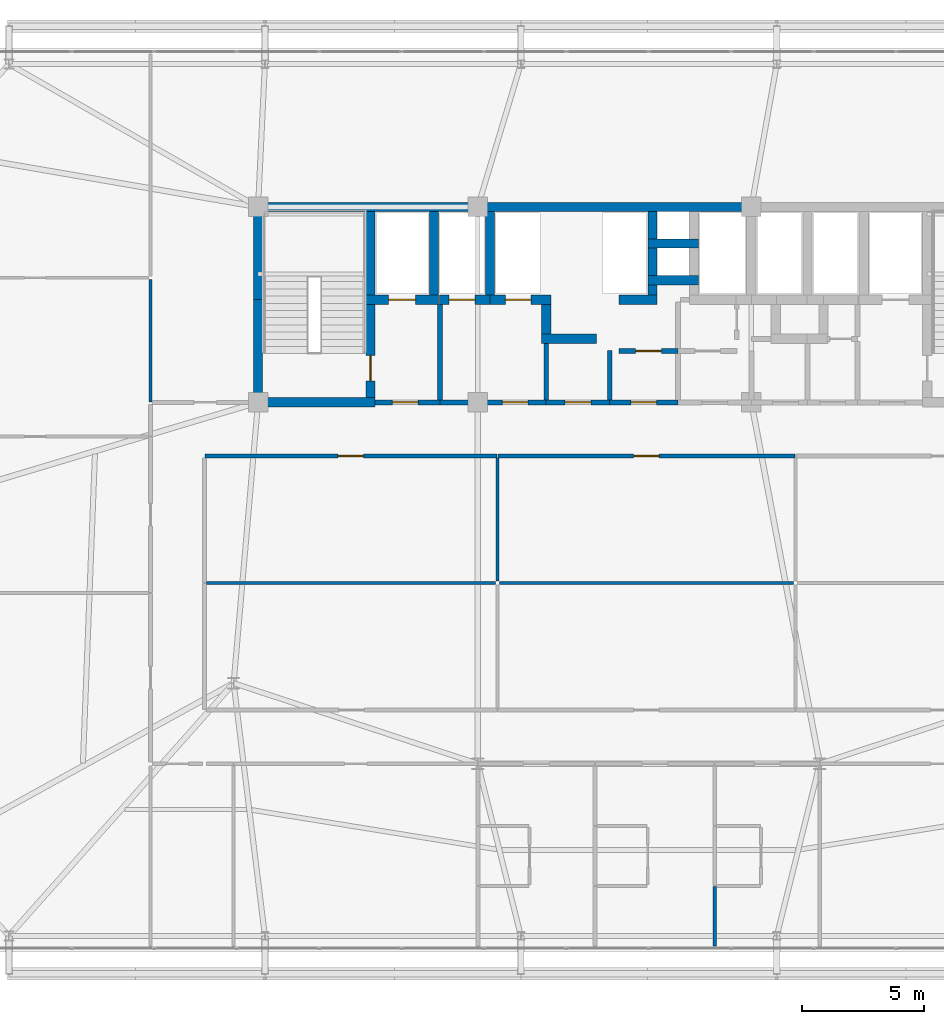
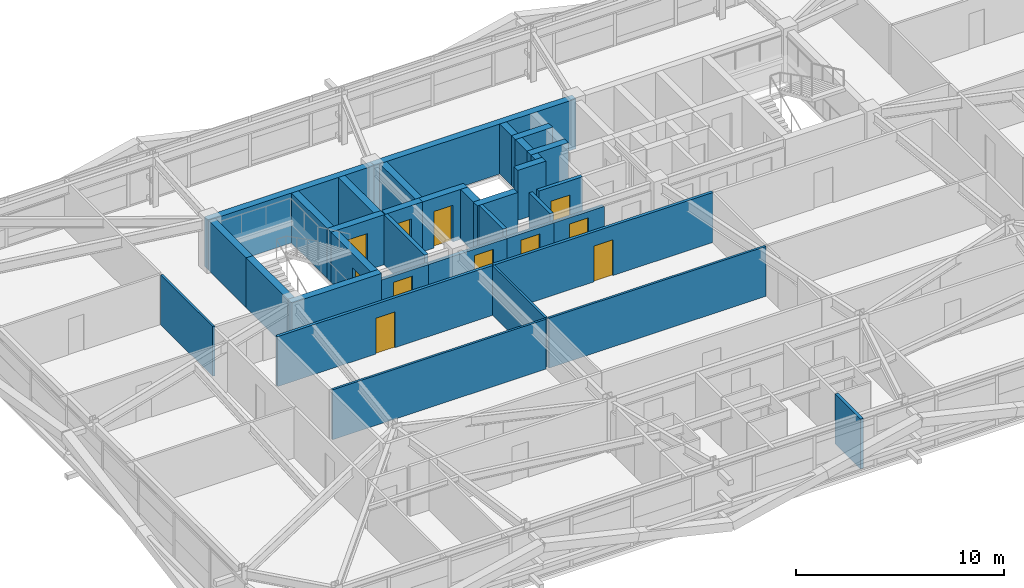
# One storey, part 53 of 59: 35 walls, 11 doors, 11 openings.
"""IFC4 building model written with IfcOpenShell, lengths in metres."""

from ifc_helpers import new_model, si_unit, direction, frame, frame_2d, origin, place, context, subcontext, project, spatial, rectangle, extrude, source, transform, mapped, material, layer, layer_set, type_object, element, fill, save


model = new_model("IFC4")

# Units and contexts
model_context = context("Model", 3, precision=1e-05, world=origin(), true_north=direction((0.0, 1.0)))
body_context = subcontext(model_context, "Body", "Model", "MODEL_VIEW")
ifc_project = project(units=[si_unit("LENGTHUNIT", "METRE"), si_unit("AREAUNIT", "SQUARE_METRE"), si_unit("VOLUMEUNIT", "CUBIC_METRE"), si_unit("PLANEANGLEUNIT", "RADIAN"), si_unit("MASSUNIT", "GRAM", prefix="KILO")], contexts=[model_context])

# Site, building, storey
site_placement = place(None, origin())
site = spatial("IfcSite", under=ifc_project, at=site_placement, CompositionType="ELEMENT")
building_placement = place(site_placement, origin())
building = spatial("IfcBuilding", under=site, at=building_placement, Name="Taldren Reach Tower", CompositionType="ELEMENT")
storey_placement = place(building_placement, frame((0.0, 0.0, 48.300048828125)))
storey = spatial("IfcBuildingStorey", under=building, at=storey_placement, Name="L14", CompositionType="ELEMENT", Elevation=48.300048828125)

# Walls
ifc_material_1 = material(Name="Concrete S80 (80 MPa)", Category="concrete")
ifc_layer_1 = layer(ifc_material_1, 0.3798828125)
ifc_layer_set_1 = layer_set([ifc_layer_1], Name="Concrete S80 (80 MPa)")
wall_type_1 = type_object("IfcWallType", Name="IW-CORE-380", PredefinedType="SHEAR", material=ifc_layer_set_1)
shared_shape_1 = source(origin(), body_context, "Body", "SweptSolid", [
    extrude(rectangle(XDim=9.18994140625, YDim=0.3798828125, at=frame_2d((4.594970703125, 0.0))), origin(), (0.0, 0.0, 1.0), 2.929931640625),
])
wall_1_placement = place(storey_placement, frame((18.81005859375, 32.0, 0.0), z_axis=(0.0, 0.0, 1.0), x_axis=(1.0, 0.0, 0.0)))
element("IfcWall", 1, at=wall_1_placement, inside=storey, type_object=wall_type_1, Name="Rear Core Shear Wall W-CORE-L14-NORTH1", PredefinedType="SHEAR", context=body_context, shape_type="MappedRepresentation", body=[
    mapped(shared_shape_1, transform((0.0, 0.0, 0.0), scale=1.0)),
])
shared_shape_2 = source(origin(), body_context, "Body", "SweptSolid", [
    extrude(rectangle(XDim=11.199951171875, YDim=0.3798828125, at=frame_2d((5.60009765625, 0.0))), origin(), (0.0, 0.0, 1.0), 2.929931640625),
])
wall_2_placement = place(storey_placement, frame((28.0, 32.0, 0.0), z_axis=(0.0, 0.0, 1.0), x_axis=(1.0, 0.0, 0.0)))
element("IfcWall", 2, at=wall_2_placement, inside=storey, type_object=wall_type_1, Name="Rear Core Shear Wall W-CORE-L14-NORTH2", PredefinedType="SHEAR", context=body_context, shape_type="MappedRepresentation", body=[
    mapped(shared_shape_2, transform((0.0, 0.0, 0.0), scale=1.0)),
])
shared_shape_3 = source(origin(), body_context, "Body", "SweptSolid", [
    extrude(rectangle(XDim=4.010009765625, YDim=0.3798828125, at=frame_2d((2.0048828125, 0.0))), origin(), (0.0, 0.0, 1.0), 2.929931640625),
])
wall_3_placement = place(storey_placement, frame((19.0, 24.18994140625, 0.0), z_axis=(0.0, 0.0, 1.0), x_axis=(0.0, 1.0, 0.0)))
element("IfcWall", 3, at=wall_3_placement, inside=storey, type_object=wall_type_1, Name="Rear Core Shear Wall W-CORE-L14-WEST1", PredefinedType="SHEAR", context=body_context, shape_type="MappedRepresentation", body=[
    mapped(shared_shape_3, transform((0.0, 0.0, 0.0), scale=1.0)),
])
shared_shape_4 = source(origin(), body_context, "Body", "SweptSolid", [
    extrude(rectangle(XDim=3.610107421875, YDim=0.3798828125, at=frame_2d((1.80517578125, 0.0))), origin(), (0.0, 0.0, 1.0), 2.929931640625),
])
wall_4_placement = place(storey_placement, frame((19.0, 28.199951171875, 0.0), z_axis=(0.0, 0.0, 1.0), x_axis=(0.0, 1.0, 0.0)))
element("IfcWall", 4, at=wall_4_placement, inside=storey, type_object=wall_type_1, Name="Rear Core Shear Wall W-CORE-L14-WEST2", PredefinedType="SHEAR", context=body_context, shape_type="MappedRepresentation", body=[
    mapped(shared_shape_4, transform((0.0, 0.0, 0.0), scale=1.0)),
])
shared_shape_5 = source(origin(), body_context, "Body", "SweptSolid", [
    extrude(rectangle(XDim=3.420166015625, YDim=0.3798828125, at=frame_2d((1.7099609375, 0.0))), origin(), (0.0, 0.0, 1.0), 2.929931640625),
])
for number, where, z_axis, x_axis, name in (
    (5, (23.60009765625, 28.389892578125, 0.0), (0.0, 0.0, 1.0), (0.0, 1.0, 0.0), "Rear Core Shear Wall W-INT-L14-001"),
    (6, (26.199951171875, 28.389892578125, 0.0), (0.0, 0.0, 1.0), (0.0, 1.0, 0.0), "Rear Core Shear Wall W-INT-L14-005"),
    (7, (28.5, 28.389892578125, 0.0), (0.0, 0.0, 1.0), (0.0, 1.0, 0.0), "Rear Core Shear Wall W-INT-L14-030"),
):
    element("IfcWall", number, at=place(storey_placement, frame(where, z_axis=z_axis, x_axis=x_axis)), inside=storey, type_object=wall_type_1, Name=name, PredefinedType="SHEAR", context=body_context, shape_type="MappedRepresentation", body=[
        mapped(shared_shape_5, transform((0.0, 0.0, 0.0), scale=1.0)),
    ])

# Wall, opening, door
shared_shape_6 = source(origin(), body_context, "Body", "SweptSolid", [
    extrude(rectangle(XDim=3.820068359375, YDim=0.3798828125, at=frame_2d((1.91015625, 0.0))), origin(), (0.0, 0.0, 1.0), 2.929931640625),
])
wall_5_placement = place(storey_placement, frame((23.60009765625, 24.18994140625, 0.0), z_axis=(0.0, 0.0, 1.0), x_axis=(0.0, 1.0, 0.0)))
wall_5 = element("IfcWall", 8, at=wall_5_placement, inside=storey, type_object=wall_type_1, Name="Rear Core Shear Wall W-INT-L14-002", PredefinedType="SHEAR", context=body_context, shape_type="MappedRepresentation", body=[
    mapped(shared_shape_6, transform((0.0, 0.0, 0.0), scale=1.0)),
])
shared_shape_7 = source(origin(), body_context, "Body", "SweptSolid", [
    extrude(rectangle(XDim=1.050048828125, YDim=2.10009765625, at=frame_2d((0.52490234375, 1.050048828125))), frame((0.0, 0.199951171875, 0.0), z_axis=(0.0, -1.0, 0.0), x_axis=(1.0, 0.0, 0.0)), (0.0, 0.0, 1.0), 0.39990234375),
])
opening_1_placement = place(wall_5_placement, frame((0.68505859375, 0.0, 0.0)))
opening_1 = element("IfcOpeningElement", 9, at=opening_1_placement, cuts=wall_5, Name="Opening DF-105", PredefinedType="OPENING", context=body_context, shape_type="MappedRepresentation", body=[
    mapped(shared_shape_7, transform((0.0, 0.0, 0.0), scale=1.0)),
])
ifc_material_2 = material(Name="Fire-Rated Care and Stair Exit Door")
door_type_1 = type_object("IfcDoorType", Name="ID-FIRE-105", OperationType="NOTDEFINED", PredefinedType="DOOR", material=ifc_material_2)
shared_shape_8 = source(origin(), body_context, "Body", "SweptSolid", [
    extrude(rectangle(XDim=1.050048828125, YDim=2.10009765625, at=frame_2d((0.52490234375, 1.050048828125))), frame((0.0, 0.02490234375, 0.0), z_axis=(0.0, -1.0, 0.0), x_axis=(1.0, 0.0, 0.0)), (0.0, 0.0, 1.0), 0.050048828125),
])
door_1_placement = place(opening_1_placement, origin())
door_1 = element("IfcDoor", 10, at=door_1_placement, inside=storey, type_object=door_type_1, Name="Fire Exit Stair Door DR-L14-001", OperationType="SINGLE_SWING_LEFT", OverallHeight=2.10009765625, OverallWidth=1.050048828125, PredefinedType="DOOR", context=body_context, shape_type="MappedRepresentation", body=[
    mapped(shared_shape_8, transform((0.0, 0.0, 0.0), scale=1.0)),
])
fill(opening_1, door_1)

# Wall
shared_shape_9 = source(origin(), body_context, "Body", "SweptSolid", [
    extrude(rectangle(XDim=4.97998046875, YDim=0.3798828125, at=frame_2d((2.489990234375, 0.0))), origin(), (0.0, 0.0, 1.0), 2.929931640625),
])
wall_6_placement = place(storey_placement, frame((18.81005859375, 24.0, 0.0), z_axis=(0.0, 0.0, 1.0), x_axis=(1.0, 0.0, 0.0)))
element("IfcWall", 11, at=wall_6_placement, inside=storey, type_object=wall_type_1, Name="Rear Core Shear Wall W-INT-L14-003", PredefinedType="SHEAR", context=body_context, shape_type="MappedRepresentation", body=[
    mapped(shared_shape_9, transform((0.0, 0.0, 0.0), scale=1.0)),
])

# Wall, opening, door
shared_shape_10 = source(origin(), body_context, "Body", "SweptSolid", [
    extrude(rectangle(XDim=2.97998046875, YDim=0.3798828125, at=frame_2d((1.489990234375, 0.0))), origin(), (0.0, 0.0, 1.0), 2.929931640625),
])
wall_7_placement = place(storey_placement, frame((23.409912109375, 28.199951171875, 0.0), z_axis=(0.0, 0.0, 1.0), x_axis=(1.0, 0.0, 0.0)))
wall_7 = element("IfcWall", 12, at=wall_7_placement, inside=storey, type_object=wall_type_1, Name="Rear Core Shear Wall W-INT-L14-004", PredefinedType="SHEAR", context=body_context, shape_type="MappedRepresentation", body=[
    mapped(shared_shape_10, transform((0.0, 0.0, 0.0), scale=1.0)),
])
shared_shape_11 = source(origin(), body_context, "Body", "SweptSolid", [
    extrude(rectangle(XDim=1.10009765625, YDim=2.14990234375, at=frame_2d((0.550048828125, 1.074951171875))), frame((0.0, 0.199951171875, 0.0), z_axis=(0.0, -1.0, 0.0), x_axis=(1.0, 0.0, 0.0)), (0.0, 0.0, 1.0), 0.39990234375),
])
opening_2_placement = place(wall_7_placement, frame((0.93994140625, 0.0, 0.0)))
opening_2 = element("IfcOpeningElement", 13, at=opening_2_placement, cuts=wall_7, Name="Opening LD-FL1", PredefinedType="OPENING", context=body_context, shape_type="MappedRepresentation", body=[
    mapped(shared_shape_11, transform((0.0, 0.0, 0.0), scale=1.0)),
])
ifc_material_3 = material(Name="Stainless Steel Gr 316 Emergency Lift Landing Door", Category="steel")
door_type_2 = type_object("IfcDoorType", Name="LD-EMG-110", OperationType="SLIDING_TO_LEFT", PredefinedType="DOOR", material=ifc_material_3)
shared_shape_12 = source(origin(), body_context, "Body", "SweptSolid", [
    extrude(rectangle(XDim=1.10009765625, YDim=2.14990234375, at=frame_2d((0.550048828125, 1.074951171875))), frame((0.0, 0.02490234375, 0.0), z_axis=(0.0, -1.0, 0.0), x_axis=(1.0, 0.0, 0.0)), (0.0, 0.0, 1.0), 0.050048828125),
])
door_2_placement = place(opening_2_placement, origin())
door_2 = element("IfcDoor", 14, at=door_2_placement, inside=storey, type_object=door_type_2, Name="Lift Landing Door LD-FL1-L14", OperationType="SLIDING_TO_LEFT", OverallHeight=2.14990234375, OverallWidth=1.10009765625, PredefinedType="DOOR", context=body_context, shape_type="MappedRepresentation", body=[
    mapped(shared_shape_12, transform((0.0, 0.0, 0.0), scale=1.0)),
])
fill(opening_2, door_2)

# Wall
ifc_material_4 = material(Name="Concrete S50 (50 MPa)", Category="concrete")
ifc_layer_2 = layer(ifc_material_4, 0.199951171875)
ifc_layer_set_2 = layer_set([ifc_layer_2], Name="Concrete S50 (50 MPa)")
wall_type_2 = type_object("IfcWallType", Name="IW-CORE-200", PredefinedType="SOLIDWALL", material=ifc_layer_set_2)
shared_shape_13 = source(origin(), body_context, "Body", "SweptSolid", [
    extrude(rectangle(XDim=3.909912109375, YDim=0.199951171875, at=frame_2d((1.955078125, 0.0))), origin(), (0.0, 0.0, 1.0), 2.929931640625),
])
wall_8_placement = place(storey_placement, frame((26.449951171875, 24.10009765625, 0.0), z_axis=(0.0, 0.0, 1.0), x_axis=(0.0, 1.0, 0.0)))
element("IfcWall", 15, at=wall_8_placement, inside=storey, type_object=wall_type_2, Name="Rear Core Shear Wall W-INT-L14-006", PredefinedType="SOLIDWALL", context=body_context, shape_type="MappedRepresentation", body=[
    mapped(shared_shape_13, transform((0.0, 0.0, 0.0), scale=1.0)),
])

# Wall, opening, door
shared_shape_14 = source(origin(), body_context, "Body", "SweptSolid", [
    extrude(rectangle(XDim=2.659912109375, YDim=0.199951171875, at=frame_2d((1.330078125, 0.0))), origin(), (0.0, 0.0, 1.0), 2.469970703125),
])
wall_9_placement = place(storey_placement, frame((23.7900390625, 24.0, 0.0), z_axis=(0.0, 0.0, 1.0), x_axis=(1.0, 0.0, 0.0)))
wall_9 = element("IfcWall", 16, at=wall_9_placement, inside=storey, type_object=wall_type_2, Name="Rear Core Shear Wall W-INT-L14-007", PredefinedType="SOLIDWALL", context=body_context, shape_type="MappedRepresentation", body=[
    mapped(shared_shape_14, transform((0.0, 0.0, 0.0), scale=1.0)),
])
shared_shape_15 = source(origin(), body_context, "Body", "SweptSolid", [
    extrude(rectangle(XDim=1.050048828125, YDim=2.10009765625, at=frame_2d((0.52490234375, 1.050048828125))), frame((0.0, 0.10986328125, 0.0), z_axis=(0.0, -1.0, 0.0), x_axis=(1.0, 0.0, 0.0)), (0.0, 0.0, 1.0), 0.219970703125),
])
opening_3_placement = place(wall_9_placement, frame((0.7099609375, 0.0, 0.0)))
opening_3 = element("IfcOpeningElement", 17, at=opening_3_placement, cuts=wall_9, Name="Opening DF-105", PredefinedType="OPENING", context=body_context, shape_type="MappedRepresentation", body=[
    mapped(shared_shape_15, transform((0.0, 0.0, 0.0), scale=1.0)),
])
door_3_placement = place(opening_3_placement, origin())
door_3 = element("IfcDoor", 18, at=door_3_placement, inside=storey, type_object=door_type_1, Name="Interior Door DR-L14-002", OperationType="SINGLE_SWING_LEFT", OverallHeight=2.10009765625, OverallWidth=1.050048828125, PredefinedType="DOOR", context=body_context, shape_type="MappedRepresentation", body=[
    mapped(shared_shape_8, transform((0.0, 0.0, 0.0), scale=1.0)),
])
fill(opening_3, door_3)

# Walls
shared_shape_16 = source(origin(), body_context, "Body", "SweptSolid", [
    extrude(rectangle(XDim=2.080078125, YDim=0.3798828125, at=frame_2d((1.0400390625, 0.0))), origin(), (0.0, 0.0, 1.0), 2.929931640625),
])
for number, where, z_axis, x_axis, name in (
    (19, (34.9599609375, 30.5, 0.0), (0.0, 0.0, 1.0), (1.0, 0.0, 0.0), "Rear Core Shear Wall W-INT-L14-016"),
    (20, (34.9599609375, 29.0, 0.0), (0.0, 0.0, 1.0), (1.0, 0.0, 0.0), "Rear Core Shear Wall W-INT-L14-021"),
):
    element("IfcWall", number, at=place(storey_placement, frame(where, z_axis=z_axis, x_axis=x_axis)), inside=storey, type_object=wall_type_1, Name=name, PredefinedType="SHEAR", context=body_context, shape_type="MappedRepresentation", body=[
        mapped(shared_shape_16, transform((0.0, 0.0, 0.0), scale=1.0)),
    ])
shared_shape_17 = source(origin(), body_context, "Body", "SweptSolid", [
    extrude(rectangle(XDim=1.1201171875, YDim=0.3798828125, at=frame_2d((0.56005859375, 0.0))), origin(), (0.0, 0.0, 1.0), 2.929931640625),
])
for number, where, z_axis, x_axis, name in (
    (21, (35.14990234375, 31.81005859375, 0.0), (0.0, 0.0, 1.0), (0.0, -1.0, 0.0), "Rear Core Shear Wall W-INT-L14-017"),
    (22, (35.14990234375, 30.31005859375, 0.0), (0.0, 0.0, 1.0), (0.0, -1.0, 0.0), "Rear Core Shear Wall W-INT-L14-019"),
):
    element("IfcWall", number, at=place(storey_placement, frame(where, z_axis=z_axis, x_axis=x_axis)), inside=storey, type_object=wall_type_1, Name=name, PredefinedType="SHEAR", context=body_context, shape_type="MappedRepresentation", body=[
        mapped(shared_shape_17, transform((0.0, 0.0, 0.0), scale=1.0)),
    ])
shared_shape_18 = source(origin(), body_context, "Body", "SweptSolid", [
    extrude(rectangle(XDim=1.219970703125, YDim=0.3798828125, at=frame_2d((0.60986328125, 0.0))), origin(), (0.0, 0.0, 1.0), 2.929931640625),
])
wall_10_placement = place(storey_placement, frame((30.800048828125, 28.010009765625, 0.0), z_axis=(0.0, 0.0, 1.0), x_axis=(0.0, -1.0, 0.0)))
element("IfcWall", 23, at=wall_10_placement, inside=storey, type_object=wall_type_1, Name="Rear Core Shear Wall W-INT-L14-022", PredefinedType="SHEAR", context=body_context, shape_type="MappedRepresentation", body=[
    mapped(shared_shape_18, transform((0.0, 0.0, 0.0), scale=1.0)),
])

# Wall, opening, door
shared_shape_19 = source(origin(), body_context, "Body", "SweptSolid", [
    extrude(rectangle(XDim=2.070068359375, YDim=0.3798828125, at=frame_2d((1.03515625, 0.0))), origin(), (0.0, 0.0, 1.0), 2.929931640625),
])
wall_11_placement = place(storey_placement, frame((26.429931640625, 28.199951171875, 0.0), z_axis=(0.0, 0.0, 1.0), x_axis=(1.0, 0.0, 0.0)))
wall_11 = element("IfcWall", 24, at=wall_11_placement, inside=storey, type_object=wall_type_1, Name="Rear Core Shear Wall W-INT-L14-031", PredefinedType="SHEAR", context=body_context, shape_type="MappedRepresentation", body=[
    mapped(shared_shape_19, transform((0.0, 0.0, 0.0), scale=1.0)),
])
shared_shape_20 = source(origin(), body_context, "Body", "SweptSolid", [
    extrude(rectangle(XDim=1.050048828125, YDim=2.14990234375, at=frame_2d((0.52490234375, 1.074951171875))), frame((0.0, 0.199951171875, 0.0), z_axis=(0.0, -1.0, 0.0), x_axis=(1.0, 0.0, 0.0)), (0.0, 0.0, 1.0), 0.39990234375),
])
opening_4_placement = place(wall_11_placement, frame((0.39501953125, 0.0, 0.0)))
opening_4 = element("IfcOpeningElement", 25, at=opening_4_placement, cuts=wall_11, Name="Opening LD-PL1", PredefinedType="OPENING", context=body_context, shape_type="MappedRepresentation", body=[
    mapped(shared_shape_20, transform((0.0, 0.0, 0.0), scale=1.0)),
])
ifc_material_5 = material(Name="Stainless Steel Gr 316 Passenger Lift Landing Door", Category="steel")
door_type_3 = type_object("IfcDoorType", Name="LD-PAS-105", OperationType="SLIDING_TO_LEFT", PredefinedType="DOOR", material=ifc_material_5)
shared_shape_21 = source(origin(), body_context, "Body", "SweptSolid", [
    extrude(rectangle(XDim=1.050048828125, YDim=2.14990234375, at=frame_2d((0.52490234375, 1.074951171875))), frame((0.0, 0.02490234375, 0.0), z_axis=(0.0, -1.0, 0.0), x_axis=(1.0, 0.0, 0.0)), (0.0, 0.0, 1.0), 0.050048828125),
])
door_4_placement = place(opening_4_placement, origin())
door_4 = element("IfcDoor", 26, at=door_4_placement, inside=storey, type_object=door_type_3, Name="Lift Landing Door LD-PL1-L14", OperationType="SLIDING_TO_LEFT", OverallHeight=2.14990234375, OverallWidth=1.050048828125, PredefinedType="DOOR", context=body_context, shape_type="MappedRepresentation", body=[
    mapped(shared_shape_21, transform((0.0, 0.0, 0.0), scale=1.0)),
])
fill(opening_4, door_4)

shared_shape_22 = source(origin(), body_context, "Body", "SweptSolid", [
    extrude(rectangle(XDim=2.489990234375, YDim=0.3798828125, at=frame_2d((1.2451171875, 0.0))), origin(), (0.0, 0.0, 1.0), 2.929931640625),
])
wall_12_placement = place(storey_placement, frame((28.5, 28.199951171875, 0.0), z_axis=(0.0, 0.0, 1.0), x_axis=(1.0, 0.0, 0.0)))
wall_12 = element("IfcWall", 27, at=wall_12_placement, inside=storey, type_object=wall_type_1, Name="Rear Core Shear Wall W-INT-L14-032", PredefinedType="SHEAR", context=body_context, shape_type="MappedRepresentation", body=[
    mapped(shared_shape_22, transform((0.0, 0.0, 0.0), scale=1.0)),
])
opening_5_placement = place(wall_12_placement, frame((0.625, 0.0, 0.0)))
opening_5 = element("IfcOpeningElement", 28, at=opening_5_placement, cuts=wall_12, Name="Opening LD-PL2", PredefinedType="OPENING", context=body_context, shape_type="MappedRepresentation", body=[
    mapped(shared_shape_20, transform((0.0, 0.0, 0.0), scale=1.0)),
])
door_5_placement = place(opening_5_placement, origin())
door_5 = element("IfcDoor", 29, at=door_5_placement, inside=storey, type_object=door_type_3, Name="Lift Landing Door LD-PL2-L14", OperationType="SLIDING_TO_LEFT", OverallHeight=2.14990234375, OverallWidth=1.050048828125, PredefinedType="DOOR", context=body_context, shape_type="MappedRepresentation", body=[
    mapped(shared_shape_21, transform((0.0, 0.0, 0.0), scale=1.0)),
])
fill(opening_5, door_5)

# Wall
shared_shape_23 = source(origin(), body_context, "Body", "SweptSolid", [
    extrude(rectangle(XDim=2.309814453125, YDim=0.199951171875, at=frame_2d((1.15478515625, 0.0))), origin(), (0.0, 0.0, 1.0), 2.929931640625),
])
wall_13_placement = place(storey_placement, frame((30.800048828125, 26.409912109375, 0.0), z_axis=(0.0, 0.0, 1.0), x_axis=(0.0, -1.0, 0.0)))
element("IfcWall", 30, at=wall_13_placement, inside=storey, type_object=wall_type_2, Name="Rear Core Shear Wall W-INT-L14-033", PredefinedType="SOLIDWALL", context=body_context, shape_type="MappedRepresentation", body=[
    mapped(shared_shape_23, transform((0.0, 0.0, 0.0), scale=1.0)),
])

# Wall, opening, door
shared_shape_24 = source(origin(), body_context, "Body", "SweptSolid", [
    extrude(rectangle(XDim=4.35009765625, YDim=0.199951171875, at=frame_2d((2.175048828125, 0.0))), origin(), (0.0, 0.0, 1.0), 2.469970703125),
])
wall_14_placement = place(storey_placement, frame((30.800048828125, 24.0, 0.0), z_axis=(0.0, 0.0, 1.0), x_axis=(-1.0, 0.0, 0.0)))
wall_14 = element("IfcWall", 31, at=wall_14_placement, inside=storey, type_object=wall_type_2, Name="Rear Core Shear Wall W-INT-L14-034", PredefinedType="SOLIDWALL", context=body_context, shape_type="MappedRepresentation", body=[
    mapped(shared_shape_24, transform((0.0, 0.0, 0.0), scale=1.0)),
])
opening_6_placement = place(wall_14_placement, frame((0.75, 0.0, 0.0)))
opening_6 = element("IfcOpeningElement", 32, at=opening_6_placement, cuts=wall_14, Name="Opening DF-105", PredefinedType="OPENING", context=body_context, shape_type="MappedRepresentation", body=[
    mapped(shared_shape_15, transform((0.0, 0.0, 0.0), scale=1.0)),
])
door_6_placement = place(opening_6_placement, frame((1.050048828125, 0.0, 0.0), z_axis=(0.0, 0.0, 1.0), x_axis=(-1.0, 0.0, 0.0)))
door_6 = element("IfcDoor", 33, at=door_6_placement, inside=storey, type_object=door_type_1, Name="Interior Door DR-L14-005", OperationType="SINGLE_SWING_RIGHT", OverallHeight=2.10009765625, OverallWidth=1.050048828125, PredefinedType="DOOR", context=body_context, shape_type="MappedRepresentation", body=[
    mapped(shared_shape_8, transform((0.0, 0.0, 0.0), scale=1.0)),
])
fill(opening_6, door_6)

# Walls
shared_shape_25 = source(origin(), body_context, "Body", "SweptSolid", [
    extrude(rectangle(XDim=0.420166015625, YDim=0.3798828125, at=frame_2d((0.2099609375, 0.0))), origin(), (0.0, 0.0, 1.0), 2.929931640625),
])
wall_15_placement = place(storey_placement, frame((35.14990234375, 28.389892578125, 0.0), z_axis=(0.0, 0.0, 1.0), x_axis=(0.0, 1.0, 0.0)))
element("IfcWall", 34, at=wall_15_placement, inside=storey, type_object=wall_type_1, Name="Rear Core Shear Wall W-INT-L14-036", PredefinedType="SHEAR", context=body_context, shape_type="MappedRepresentation", body=[
    mapped(shared_shape_25, transform((0.0, 0.0, 0.0), scale=1.0)),
])
ifc_material_6 = material(Name="Insulated Residential Stud Partition", Category="gypsum")
ifc_layer_3 = layer(ifc_material_6, 0.1201171875)
ifc_layer_set_3 = layer_set([ifc_layer_3], Name="Insulated Residential Stud Partition")
wall_type_3 = type_object("IfcWallType", Name="IW-PART-120", PredefinedType="PARTITIONING", material=ifc_layer_set_3)
shared_shape_26 = source(origin(), body_context, "Body", "SweptSolid", [
    extrude(rectangle(XDim=5.0400390625, YDim=0.1201171875, at=frame_2d((2.52001953125, 0.0))), origin(), (0.0, 0.0, 1.0), 2.929931640625),
])
wall_16_placement = place(storey_placement, frame((28.800048828125, 21.719970703125, 0.0), z_axis=(0.0, 0.0, 1.0), x_axis=(0.0, -1.0, 0.0)))
element("IfcWall", 35, at=wall_16_placement, inside=storey, type_object=wall_type_3, Name="Interior Partition Wall W-INT-L14-089", PredefinedType="PARTITIONING", context=body_context, shape_type="MappedRepresentation", body=[
    mapped(shared_shape_26, transform((0.0, 0.0, 0.0), scale=1.0)),
])
ifc_material_7 = material(Name="Fire-Rated Acoustic Plasterboard Stud Wall", Category="gypsum")
ifc_layer_4 = layer(ifc_material_7, 0.159912109375)
ifc_layer_set_4 = layer_set([ifc_layer_4], Name="Fire-Rated Acoustic Plasterboard Stud Wall")
wall_type_4 = type_object("IfcWallType", Name="IW-FIRE-160", PredefinedType="PARTITIONING", material=ifc_layer_set_4)
shared_shape_27 = source(origin(), body_context, "Body", "SweptSolid", [
    extrude(rectangle(XDim=2.44775390625, YDim=0.159912109375, at=frame_2d((1.223876953125, 0.0))), origin(), (0.0, 0.0, 1.0), 2.929931640625),
])
wall_17_placement = place(storey_placement, frame((37.699951171875, 4.1796875, 0.0), z_axis=(0.0, 0.0, 1.0), x_axis=(0.0, -1.0, 0.0)))
element("IfcWall", 36, at=wall_17_placement, inside=storey, type_object=wall_type_4, Name="Interior Partition Wall W-INT-L14-108", PredefinedType="PARTITIONING", context=body_context, shape_type="MappedRepresentation", body=[
    mapped(shared_shape_27, transform((0.0, 0.0, 0.0), scale=1.0)),
])
shared_shape_28 = source(origin(), body_context, "Body", "SweptSolid", [
    extrude(rectangle(XDim=2.239990234375, YDim=0.3798828125, at=frame_2d((1.1201171875, 0.0))), origin(), (0.0, 0.0, 1.0), 2.929931640625),
])
wall_18_placement = place(storey_placement, frame((30.610107421875, 26.60009765625, 0.0), z_axis=(0.0, 0.0, 1.0), x_axis=(1.0, 0.0, 0.0)))
element("IfcWall", 37, at=wall_18_placement, inside=storey, type_object=wall_type_1, Name="Rear Core Shear Wall W-INT-L14-023", PredefinedType="SHEAR", context=body_context, shape_type="MappedRepresentation", body=[
    mapped(shared_shape_28, transform((0.0, 0.0, 0.0), scale=1.0)),
])
shared_shape_29 = source(origin(), body_context, "Body", "SweptSolid", [
    extrude(rectangle(XDim=1.56005859375, YDim=0.3798828125, at=frame_2d((0.780029296875, 0.0))), origin(), (0.0, 0.0, 1.0), 2.929931640625),
])
wall_19_placement = place(storey_placement, frame((33.780029296875, 28.199951171875, 0.0), z_axis=(0.0, 0.0, 1.0), x_axis=(1.0, 0.0, 0.0)))
element("IfcWall", 38, at=wall_19_placement, inside=storey, type_object=wall_type_1, Name="Rear Core Shear Wall W-INT-L14-035", PredefinedType="SHEAR", context=body_context, shape_type="MappedRepresentation", body=[
    mapped(shared_shape_29, transform((0.0, 0.0, 0.0), scale=1.0)),
])
shared_shape_30 = source(origin(), body_context, "Body", "SweptSolid", [
    extrude(rectangle(XDim=2.02001953125, YDim=0.199951171875, at=frame_2d((1.010009765625, 0.0))), origin(), (0.0, 0.0, 1.0), 2.929931640625),
])
wall_20_placement = place(storey_placement, frame((33.39990234375, 26.1201171875, 0.0), z_axis=(0.0, 0.0, 1.0), x_axis=(0.0, -1.0, 0.0)))
element("IfcWall", 39, at=wall_20_placement, inside=storey, type_object=wall_type_2, Name="Rear Core Shear Wall W-INT-L14-044", PredefinedType="SOLIDWALL", context=body_context, shape_type="MappedRepresentation", body=[
    mapped(shared_shape_30, transform((0.0, 0.0, 0.0), scale=1.0)),
])

# Wall, opening, door
shared_shape_31 = source(origin(), body_context, "Body", "SweptSolid", [
    extrude(rectangle(XDim=2.599853515625, YDim=0.199951171875, at=frame_2d((1.2998046875, 0.0))), origin(), (0.0, 0.0, 1.0), 2.469970703125),
])
wall_21_placement = place(storey_placement, frame((33.39990234375, 24.0, 0.0), z_axis=(0.0, 0.0, 1.0), x_axis=(-1.0, 0.0, 0.0)))
wall_21 = element("IfcWall", 40, at=wall_21_placement, inside=storey, type_object=wall_type_2, Name="Rear Core Shear Wall W-INT-L14-045", PredefinedType="SOLIDWALL", context=body_context, shape_type="MappedRepresentation", body=[
    mapped(shared_shape_31, transform((0.0, 0.0, 0.0), scale=1.0)),
])
opening_7_placement = place(wall_21_placement, frame((0.77490234375, 0.0, 0.0)))
opening_7 = element("IfcOpeningElement", 41, at=opening_7_placement, cuts=wall_21, Name="Opening DF-105", PredefinedType="OPENING", context=body_context, shape_type="MappedRepresentation", body=[
    mapped(shared_shape_15, transform((0.0, 0.0, 0.0), scale=1.0)),
])
door_7_placement = place(opening_7_placement, frame((1.050048828125, 0.0, 0.0), z_axis=(0.0, 0.0, 1.0), x_axis=(-1.0, 0.0, 0.0)))
door_7 = element("IfcDoor", 42, at=door_7_placement, inside=storey, type_object=door_type_1, Name="Interior Door DR-L14-006", OperationType="SINGLE_SWING_RIGHT", OverallHeight=2.10009765625, OverallWidth=1.050048828125, PredefinedType="DOOR", context=body_context, shape_type="MappedRepresentation", body=[
    mapped(shared_shape_8, transform((0.0, 0.0, 0.0), scale=1.0)),
])
fill(opening_7, door_7)

shared_shape_32 = source(origin(), body_context, "Body", "SweptSolid", [
    extrude(rectangle(XDim=2.419921875, YDim=0.199951171875, at=frame_2d((1.2099609375, 0.0))), origin(), (0.0, 0.0, 1.0), 2.929931640625),
])
wall_22_placement = place(storey_placement, frame((33.780029296875, 26.10009765625, 0.0), z_axis=(0.0, 0.0, 1.0), x_axis=(1.0, 0.0, 0.0)))
wall_22 = element("IfcWall", 43, at=wall_22_placement, inside=storey, type_object=wall_type_2, Name="Rear Core Shear Wall W-INT-L14-046", PredefinedType="SOLIDWALL", context=body_context, shape_type="MappedRepresentation", body=[
    mapped(shared_shape_32, transform((0.0, 0.0, 0.0), scale=1.0)),
])
opening_8_placement = place(wall_22_placement, frame((0.68505859375, 0.0, 0.0)))
opening_8 = element("IfcOpeningElement", 44, at=opening_8_placement, cuts=wall_22, Name="Opening DF-105", PredefinedType="OPENING", context=body_context, shape_type="MappedRepresentation", body=[
    mapped(shared_shape_15, transform((0.0, 0.0, 0.0), scale=1.0)),
])
door_8_placement = place(opening_8_placement, origin())
door_8 = element("IfcDoor", 45, at=door_8_placement, inside=storey, type_object=door_type_1, Name="Interior Door DR-L14-007", OperationType="SINGLE_SWING_RIGHT", OverallHeight=2.10009765625, OverallWidth=1.050048828125, PredefinedType="DOOR", context=body_context, shape_type="MappedRepresentation", body=[
    mapped(shared_shape_8, transform((0.0, 0.0, 0.0), scale=1.0)),
])
fill(opening_8, door_8)

shared_shape_33 = source(origin(), body_context, "Body", "SweptSolid", [
    extrude(rectangle(XDim=2.800048828125, YDim=0.199951171875, at=frame_2d((1.39990234375, 0.0))), origin(), (0.0, 0.0, 1.0), 2.469970703125),
])
wall_23_placement = place(storey_placement, frame((36.199951171875, 24.0, 0.0), z_axis=(0.0, 0.0, 1.0), x_axis=(-1.0, 0.0, 0.0)))
wall_23 = element("IfcWall", 46, at=wall_23_placement, inside=storey, type_object=wall_type_2, Name="Rear Core Shear Wall W-INT-L14-048", PredefinedType="SOLIDWALL", context=body_context, shape_type="MappedRepresentation", body=[
    mapped(shared_shape_33, transform((0.0, 0.0, 0.0), scale=1.0)),
])
opening_9_placement = place(wall_23_placement, frame((0.875, 0.0, 0.0)))
opening_9 = element("IfcOpeningElement", 47, at=opening_9_placement, cuts=wall_23, Name="Opening DF-105", PredefinedType="OPENING", context=body_context, shape_type="MappedRepresentation", body=[
    mapped(shared_shape_15, transform((0.0, 0.0, 0.0), scale=1.0)),
])
door_9_placement = place(opening_9_placement, frame((1.050048828125, 0.0, 0.0), z_axis=(0.0, 0.0, 1.0), x_axis=(-1.0, 0.0, 0.0)))
door_9 = element("IfcDoor", 48, at=door_9_placement, inside=storey, type_object=door_type_1, Name="Interior Door DR-L14-008", OperationType="SINGLE_SWING_RIGHT", OverallHeight=2.10009765625, OverallWidth=1.050048828125, PredefinedType="DOOR", context=body_context, shape_type="MappedRepresentation", body=[
    mapped(shared_shape_8, transform((0.0, 0.0, 0.0), scale=1.0)),
])
fill(opening_9, door_9)

shared_shape_34 = source(origin(), body_context, "Body", "SweptSolid", [
    extrude(rectangle(XDim=12.159423828125, YDim=0.159912109375, at=frame_2d((6.07958984375, 0.0))), origin(), (0.0, 0.0, 1.0), 2.929931640625),
])
wall_24_placement = place(storey_placement, frame((40.979736328125, 21.800048828125, 0.0), z_axis=(0.0, 0.0, 1.0), x_axis=(-1.0, 0.0, 0.0)))
wall_24 = element("IfcWall", 49, at=wall_24_placement, inside=storey, type_object=wall_type_4, Name="Interior Partition Wall W-INT-L14-063", PredefinedType="PARTITIONING", context=body_context, shape_type="MappedRepresentation", body=[
    mapped(shared_shape_34, transform((0.0, 0.0, 0.0), scale=1.0)),
])
shared_shape_35 = source(origin(), body_context, "Body", "SweptSolid", [
    extrude(rectangle(XDim=1.050048828125, YDim=2.10009765625, at=frame_2d((0.52490234375, 1.050048828125))), frame((0.0, 0.08984375, 0.0), z_axis=(0.0, -1.0, 0.0), x_axis=(1.0, 0.0, 0.0)), (0.0, 0.0, 1.0), 0.179931640625),
])
opening_10_placement = place(wall_24_placement, frame((5.5546875, 0.0, 0.0)))
opening_10 = element("IfcOpeningElement", 50, at=opening_10_placement, cuts=wall_24, Name="Opening DF-105", PredefinedType="OPENING", context=body_context, shape_type="MappedRepresentation", body=[
    mapped(shared_shape_35, transform((0.0, 0.0, 0.0), scale=1.0)),
])
door_10_placement = place(opening_10_placement, origin())
door_10 = element("IfcDoor", 51, at=door_10_placement, inside=storey, type_object=door_type_1, Name="Interior Door DR-L14-015", OperationType="SINGLE_SWING_RIGHT", OverallHeight=2.10009765625, OverallWidth=1.050048828125, PredefinedType="DOOR", context=body_context, shape_type="MappedRepresentation", body=[
    mapped(shared_shape_8, transform((0.0, 0.0, 0.0), scale=1.0)),
])
fill(opening_10, door_10)

# Wall
shared_shape_36 = source(origin(), body_context, "Body", "SweptSolid", [
    extrude(rectangle(XDim=12.0400390625, YDim=0.1201171875, at=frame_2d((6.02001953125, 0.0))), origin(), (0.0, 0.0, 1.0), 2.929931640625),
])
wall_25_placement = place(storey_placement, frame((28.8798828125, 16.60009765625, 0.0), z_axis=(0.0, 0.0, 1.0), x_axis=(1.0, 0.0, 0.0)))
element("IfcWall", 52, at=wall_25_placement, inside=storey, type_object=wall_type_3, Name="Interior Partition Wall W-INT-L14-090", PredefinedType="PARTITIONING", context=body_context, shape_type="MappedRepresentation", body=[
    mapped(shared_shape_36, transform((0.0, 0.0, 0.0), scale=1.0)),
])

# Wall, opening, door
shared_shape_37 = source(origin(), body_context, "Body", "SweptSolid", [
    extrude(rectangle(XDim=11.95947265625, YDim=0.159912109375, at=frame_2d((5.979736328125, 0.0))), origin(), (0.0, 0.0, 1.0), 2.929931640625),
])
wall_26_placement = place(storey_placement, frame((28.77978515625, 21.800048828125, 0.0), z_axis=(0.0, 0.0, 1.0), x_axis=(-1.0, 0.0, 0.0)))
wall_26 = element("IfcWall", 53, at=wall_26_placement, inside=storey, type_object=wall_type_4, Name="Interior Partition Wall W-INT-L14-061", PredefinedType="PARTITIONING", context=body_context, shape_type="MappedRepresentation", body=[
    mapped(shared_shape_37, transform((0.0, 0.0, 0.0), scale=1.0)),
])
opening_11_placement = place(wall_26_placement, frame((5.454833984375, 0.0, 0.0)))
opening_11 = element("IfcOpeningElement", 54, at=opening_11_placement, cuts=wall_26, Name="Opening DF-105", PredefinedType="OPENING", context=body_context, shape_type="MappedRepresentation", body=[
    mapped(shared_shape_35, transform((0.0, 0.0, 0.0), scale=1.0)),
])
door_11_placement = place(opening_11_placement, origin())
door_11 = element("IfcDoor", 55, at=door_11_placement, inside=storey, type_object=door_type_1, Name="Interior Door DR-L14-014", OperationType="SINGLE_SWING_LEFT", OverallHeight=2.10009765625, OverallWidth=1.050048828125, PredefinedType="DOOR", context=body_context, shape_type="MappedRepresentation", body=[
    mapped(shared_shape_8, transform((0.0, 0.0, 0.0), scale=1.0)),
])
fill(opening_11, door_11)

# Walls
shared_shape_38 = source(origin(), body_context, "Body", "SweptSolid", [
    extrude(rectangle(XDim=11.840087890625, YDim=0.1201171875, at=frame_2d((5.919921875, 0.0))), origin(), (0.0, 0.0, 1.0), 2.929931640625),
])
wall_27_placement = place(storey_placement, frame((16.8798828125, 16.60009765625, 0.0), z_axis=(0.0, 0.0, 1.0), x_axis=(1.0, 0.0, 0.0)))
element("IfcWall", 56, at=wall_27_placement, inside=storey, type_object=wall_type_3, Name="Interior Partition Wall W-INT-L14-087", PredefinedType="PARTITIONING", context=body_context, shape_type="MappedRepresentation", body=[
    mapped(shared_shape_38, transform((0.0, 0.0, 0.0), scale=1.0)),
])
shared_shape_39 = source(origin(), body_context, "Body", "SweptSolid", [
    extrude(rectangle(XDim=4.999755859375, YDim=0.1201171875, at=frame_2d((2.5, 0.0))), origin(), (0.0, 0.0, 1.0), 2.929931640625),
])
wall_28_placement = place(storey_placement, frame((14.60009765625, 29.02001953125, 0.0), z_axis=(0.0, 0.0, 1.0), x_axis=(0.0, -1.0, 0.0)))
element("IfcWall", 57, at=wall_28_placement, inside=storey, type_object=wall_type_3, Name="Interior Partition Wall W-INT-L14-120", PredefinedType="PARTITIONING", context=body_context, shape_type="MappedRepresentation", body=[
    mapped(shared_shape_39, transform((0.0, 0.0, 0.0), scale=1.0)),
])

save(model, "model.ifc")
